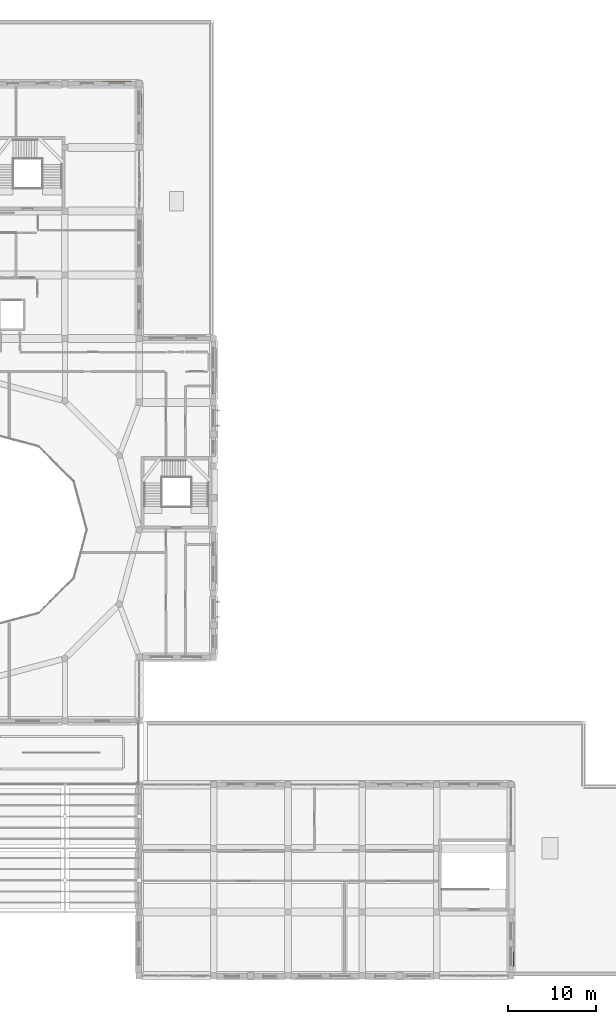
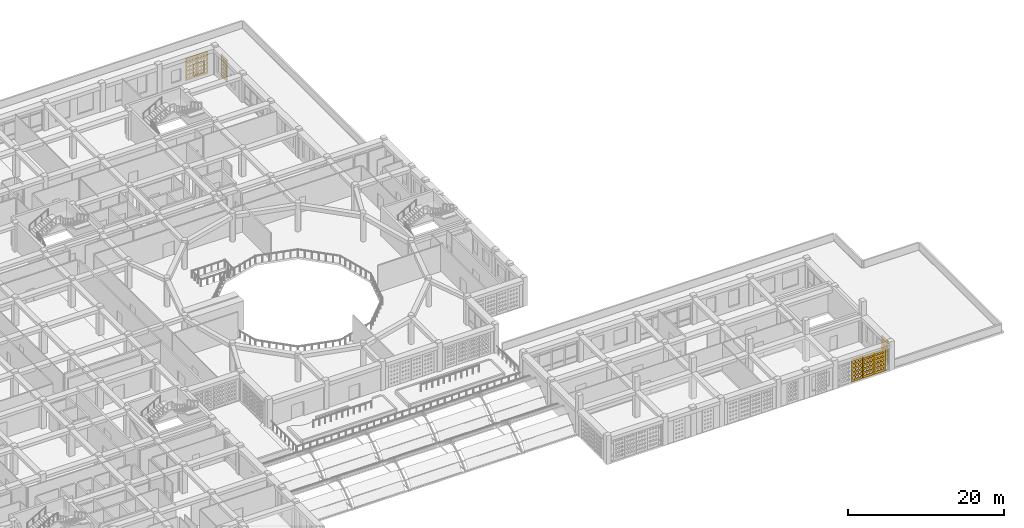
# One storey, part 97 of 100: 7 coverings.
"""IFC4 building model written with IfcOpenShell, lengths in metres."""

from ifc_helpers import new_model, si_unit, derived_unit, direction, frame, origin, place, context, subcontext, project, spatial, polyline, outline, extrude, material, layer, layer_set, type_object, element, save


model = new_model("IFC4")

# Units and contexts
model_context = context("Model", 3, precision=1e-05, world=origin(), true_north=direction((0.0, 1.0)))
body_context = subcontext(model_context, "Body", "Model", "MODEL_VIEW")
ifc_project = project(units=[si_unit("LENGTHUNIT", "METRE"), si_unit("AREAUNIT", "SQUARE_METRE"), si_unit("VOLUMEUNIT", "CUBIC_METRE"), si_unit("PLANEANGLEUNIT", "RADIAN"), si_unit("MASSUNIT", "GRAM", prefix="KILO"), derived_unit("THERMALTRANSMITTANCEUNIT", [(si_unit("POWERUNIT", "WATT"), 1), (si_unit("LENGTHUNIT", "METRE"), -2), (si_unit("THERMODYNAMICTEMPERATUREUNIT", "KELVIN"), -1)])], contexts=[model_context])

# Site, building, storey
site_placement = place(None, origin())
site = spatial("IfcSite", under=ifc_project, at=site_placement, CompositionType="ELEMENT")
building_placement = place(site_placement, origin())
building = spatial("IfcBuilding", under=site, at=building_placement, Name="Veybourne Emporium", CompositionType="ELEMENT")
storey_placement = place(building_placement, frame((0.0, 0.0, 14.39990234375)))
storey = spatial("IfcBuildingStorey", under=building, at=storey_placement, Name="L03", CompositionType="ELEMENT", Elevation=14.39990234375)

# Coverings
ifc_material = material(Name="Warm-White Perforated Aluminium Screen Alloy", Category="aluminium")
ifc_layer_1 = layer(ifc_material, 0.06005859375)
ifc_layer_set_1 = layer_set([ifc_layer_1], Name="Warm-White Perforated Aluminium Screen Alloy")
covering_type_1 = type_object("IfcCoveringType", Name="WaveScreen_SCR-01", PredefinedType="CLADDING", material=ifc_layer_set_1)
covering_1_placement = place(storey_placement, frame((129.360107421875, -0.095458984375, 1.815185546875), z_axis=(0.0, 1.0, 0.0), x_axis=(-1.0, 0.0, 0.0)))
element("IfcCovering", 1, at=covering_1_placement, inside=storey, type_object=covering_type_1, Name="L03 wave-perforated aluminium screen SCR-01 (66C.3)", PredefinedType="CLADDING", context=body_context, shape_type="SweptSolid", body=[
    extrude(outline(polyline([(-0.81982421875, -1.7548828125), (0.81982421875, -1.7548828125), (0.81982421875, 1.7548828125), (-0.81982421875, 1.7548828125), (-0.81982421875, -1.7548828125)]), holes=[polyline([(-0.433349609375, -0.980712890625), (-0.2470703125, -1.138916015625), (-0.2470703125, -1.31689453125), (-0.433349609375, -1.475341796875), (-0.61962890625, -1.31689453125), (-0.61962890625, -1.138916015625), (-0.433349609375, -0.980712890625)]), polyline([(-0.433349609375, -0.3779296875), (-0.2470703125, -0.529052734375), (-0.2470703125, -0.698974609375), (-0.433349609375, -0.85009765625), (-0.61962890625, -0.698974609375), (-0.61962890625, -0.529052734375), (-0.433349609375, -0.3779296875)]), polyline([(-0.433349609375, 0.223388671875), (-0.2470703125, 0.080322265625), (-0.2470703125, -0.080322265625), (-0.433349609375, -0.223388671875), (-0.61962890625, -0.080322265625), (-0.61962890625, 0.080322265625), (-0.433349609375, 0.223388671875)]), polyline([(-0.433349609375, 0.82373046875), (-0.251708984375, 0.689453125), (-0.251708984375, 0.53857421875), (-0.433349609375, 0.404296875), (-0.614990234375, 0.53857421875), (-0.614990234375, 0.689453125), (-0.433349609375, 0.82373046875)]), polyline([(-0.433349609375, 1.423583984375), (-0.26318359375, 1.298583984375), (-0.26318359375, 1.157470703125), (-0.433349609375, 1.0322265625), (-0.603515625, 1.157470703125), (-0.603515625, 1.298583984375), (-0.433349609375, 1.423583984375)]), polyline([(0.0, -0.97607421875), (0.186279296875, -1.13720703125), (0.186279296875, -1.318603515625), (0.0, -1.47998046875), (-0.186279296875, -1.318603515625), (-0.186279296875, -1.13720703125), (0.0, -0.97607421875)]), polyline([(0.0, -0.372802734375), (0.186279296875, -0.527099609375), (0.186279296875, -0.700927734375), (0.0, -0.855224609375), (-0.186279296875, -0.700927734375), (-0.186279296875, -0.527099609375), (0.0, -0.372802734375)]), polyline([(0.0, 0.229248046875), (0.186279296875, 0.08251953125), (0.186279296875, -0.08251953125), (0.0, -0.229248046875), (-0.186279296875, -0.08251953125), (-0.186279296875, 0.08251953125), (0.0, 0.229248046875)]), polyline([(0.0, 0.830078125), (0.186279296875, 0.69189453125), (0.186279296875, 0.5361328125), (0.0, 0.39794921875), (-0.186279296875, 0.5361328125), (-0.186279296875, 0.69189453125), (0.0, 0.830078125)]), polyline([(0.0, 1.43017578125), (0.17529296875, 1.30078125), (0.17529296875, 1.1552734375), (0.0, 1.02587890625), (-0.17529296875, 1.1552734375), (-0.17529296875, 1.30078125), (0.0, 1.43017578125)]), polyline([(0.433349609375, -0.9716796875), (0.61962890625, -1.1357421875), (0.61962890625, -1.3203125), (0.433349609375, -1.484130859375), (0.2470703125, -1.3203125), (0.2470703125, -1.1357421875), (0.433349609375, -0.9716796875)]), polyline([(0.433349609375, -0.36767578125), (0.61962890625, -0.525390625), (0.61962890625, -0.70263671875), (0.433349609375, -0.8603515625), (0.2470703125, -0.70263671875), (0.2470703125, -0.525390625), (0.433349609375, -0.36767578125)]), polyline([(0.433349609375, 0.23486328125), (0.61962890625, 0.08447265625), (0.61962890625, -0.08447265625), (0.433349609375, -0.23486328125), (0.2470703125, -0.08447265625), (0.2470703125, 0.08447265625), (0.433349609375, 0.23486328125)]), polyline([(0.433349609375, 0.836181640625), (0.61962890625, 0.694091796875), (0.61962890625, 0.533935546875), (0.433349609375, 0.391845703125), (0.2470703125, 0.533935546875), (0.2470703125, 0.694091796875), (0.433349609375, 0.836181640625)]), polyline([(0.433349609375, 1.4365234375), (0.614013671875, 1.302978515625), (0.614013671875, 1.15283203125), (0.433349609375, 1.01953125), (0.252685546875, 1.15283203125), (0.252685546875, 1.302978515625), (0.433349609375, 1.4365234375)])]), origin(), (0.0, 0.0, 1.0), 0.06005859375),
])
ifc_layer_2 = layer(ifc_material, 0.06005859375)
ifc_layer_set_2 = layer_set([ifc_layer_2], Name="Warm-White Perforated Aluminium Screen Alloy")
covering_type_2 = type_object("IfcCoveringType", Name="WaveScreen_SCR-02", PredefinedType="CLADDING", material=ifc_layer_set_2)
covering_2_placement = place(storey_placement, frame((89.0400390625, 101.09814453125, 1.815185546875), z_axis=(0.0, -1.0, 0.0), x_axis=(1.0, 0.0, 0.0)))
element("IfcCovering", 2, at=covering_2_placement, inside=storey, type_object=covering_type_2, Name="L03 wave-perforated aluminium screen SCR-02 (47.3)", PredefinedType="CLADDING", context=body_context, shape_type="SweptSolid", body=[
    extrude(outline(polyline([(-0.81982421875, -1.7548828125), (0.81982421875, -1.7548828125), (0.81982421875, 1.7548828125), (-0.81982421875, 1.7548828125), (-0.81982421875, -1.7548828125)]), holes=[polyline([(-0.433349609375, -0.986328125), (-0.2470703125, -1.14111328125), (-0.2470703125, -1.31494140625), (-0.433349609375, -1.4697265625), (-0.61962890625, -1.31494140625), (-0.61962890625, -1.14111328125), (-0.433349609375, -0.986328125)]), polyline([(-0.433349609375, -0.36181640625), (-0.2470703125, -0.523193359375), (-0.2470703125, -0.704833984375), (-0.433349609375, -0.8662109375), (-0.61962890625, -0.704833984375), (-0.61962890625, -0.523193359375), (-0.433349609375, -0.36181640625)]), polyline([(-0.433349609375, 0.260986328125), (-0.2470703125, 0.093994140625), (-0.2470703125, -0.093994140625), (-0.433349609375, -0.260986328125), (-0.61962890625, -0.093994140625), (-0.61962890625, 0.093994140625), (-0.433349609375, 0.260986328125)]), polyline([(-0.433349609375, 0.8779296875), (-0.2470703125, 0.708984375), (-0.2470703125, 0.51904296875), (-0.433349609375, 0.35009765625), (-0.61962890625, 0.51904296875), (-0.61962890625, 0.708984375), (-0.433349609375, 0.8779296875)]), polyline([(-0.433349609375, 1.491943359375), (-0.2470703125, 1.322998046875), (-0.2470703125, 1.133056640625), (-0.433349609375, 0.964111328125), (-0.61962890625, 1.133056640625), (-0.61962890625, 1.322998046875), (-0.433349609375, 1.491943359375)]), polyline([(0.0, -0.981201171875), (0.186279296875, -1.13916015625), (0.186279296875, -1.31689453125), (0.0, -1.474609375), (-0.186279296875, -1.31689453125), (-0.186279296875, -1.13916015625), (0.0, -0.981201171875)]), polyline([(0.0, -0.357421875), (0.186279296875, -0.521484375), (0.186279296875, -0.706298828125), (0.0, -0.87060546875), (-0.186279296875, -0.706298828125), (-0.186279296875, -0.521484375), (0.0, -0.357421875)]), polyline([(0.0, 0.263916015625), (0.186279296875, 0.094970703125), (0.186279296875, -0.094970703125), (0.0, -0.263916015625), (-0.186279296875, -0.094970703125), (-0.186279296875, 0.094970703125), (0.0, 0.263916015625)]), polyline([(0.0, 0.8779296875), (0.186279296875, 0.708984375), (0.186279296875, 0.51904296875), (0.0, 0.35009765625), (-0.186279296875, 0.51904296875), (-0.186279296875, 0.708984375), (0.0, 0.8779296875)]), polyline([(0.0, 1.491943359375), (0.186279296875, 1.322998046875), (0.186279296875, 1.133056640625), (0.0, 0.964111328125), (-0.186279296875, 1.133056640625), (-0.186279296875, 1.322998046875), (0.0, 1.491943359375)]), polyline([(0.433349609375, -0.9765625), (0.61962890625, -1.137451171875), (0.61962890625, -1.318603515625), (0.433349609375, -1.4794921875), (0.2470703125, -1.318603515625), (0.2470703125, -1.137451171875), (0.433349609375, -0.9765625)]), polyline([(0.433349609375, -0.353515625), (0.61962890625, -0.520263671875), (0.61962890625, -0.707763671875), (0.433349609375, -0.87451171875), (0.2470703125, -0.707763671875), (0.2470703125, -0.520263671875), (0.433349609375, -0.353515625)]), polyline([(0.433349609375, 0.263916015625), (0.61962890625, 0.094970703125), (0.61962890625, -0.094970703125), (0.433349609375, -0.263916015625), (0.2470703125, -0.094970703125), (0.2470703125, 0.094970703125), (0.433349609375, 0.263916015625)]), polyline([(0.433349609375, 0.8779296875), (0.61962890625, 0.708984375), (0.61962890625, 0.51904296875), (0.433349609375, 0.35009765625), (0.2470703125, 0.51904296875), (0.2470703125, 0.708984375), (0.433349609375, 0.8779296875)]), polyline([(0.433349609375, 1.491943359375), (0.61962890625, 1.322998046875), (0.61962890625, 1.133056640625), (0.433349609375, 0.964111328125), (0.2470703125, 1.133056640625), (0.2470703125, 1.322998046875), (0.433349609375, 1.491943359375)])]), origin(), (0.0, 0.0, 1.0), 0.06005859375),
])
covering_3_placement = place(storey_placement, frame((134.697998046875, 1.919921875, 1.815185546875), z_axis=(-1.0, 0.0, 0.0), x_axis=(0.0, -1.0, 0.0)))
element("IfcCovering", 3, at=covering_3_placement, inside=storey, type_object=covering_type_2, Name="L03 wave-perforated aluminium screen SCR-02 (67.3)", PredefinedType="CLADDING", context=body_context, shape_type="SweptSolid", body=[
    extrude(outline(polyline([(-0.81982421875, -1.7548828125), (0.81982421875, -1.7548828125), (0.81982421875, 1.7548828125), (-0.81982421875, 1.7548828125), (-0.81982421875, -1.7548828125)]), holes=[polyline([(-0.433349609375, -1.0810546875), (-0.30322265625, -1.175048828125), (-0.30322265625, -1.281005859375), (-0.433349609375, -1.375), (-0.5634765625, -1.281005859375), (-0.5634765625, -1.175048828125), (-0.433349609375, -1.0810546875)]), polyline([(-0.433349609375, -0.478271484375), (-0.312255859375, -0.565185546875), (-0.312255859375, -0.662841796875), (-0.433349609375, -0.749755859375), (-0.554443359375, -0.662841796875), (-0.554443359375, -0.565185546875), (-0.433349609375, -0.478271484375)]), polyline([(-0.433349609375, 0.12646484375), (-0.31982421875, 0.04541015625), (-0.31982421875, -0.04541015625), (-0.433349609375, -0.12646484375), (-0.546630859375, -0.04541015625), (-0.546630859375, 0.04541015625), (-0.433349609375, 0.12646484375)]), polyline([(-0.433349609375, 0.73291015625), (-0.325927734375, 0.65673828125), (-0.325927734375, 0.5712890625), (-0.433349609375, 0.4951171875), (-0.54052734375, 0.5712890625), (-0.54052734375, 0.65673828125), (-0.433349609375, 0.73291015625)]), polyline([(-0.433349609375, 1.341552734375), (-0.330322265625, 1.268798828125), (-0.330322265625, 1.18701171875), (-0.433349609375, 1.114501953125), (-0.536376953125, 1.18701171875), (-0.536376953125, 1.268798828125), (-0.433349609375, 1.341552734375)]), polyline([(0.0, -1.07568359375), (0.134765625, -1.173095703125), (0.134765625, -1.282958984375), (0.0, -1.38037109375), (-0.134765625, -1.282958984375), (-0.134765625, -1.173095703125), (0.0, -1.07568359375)]), polyline([(0.0, -0.473388671875), (0.125, -0.5634765625), (0.125, -0.66455078125), (0.0, -0.754638671875), (-0.125, -0.66455078125), (-0.125, -0.5634765625), (0.0, -0.473388671875)]), polyline([(0.0, 0.13037109375), (0.11669921875, 0.047119140625), (0.11669921875, -0.047119140625), (0.0, -0.13037109375), (-0.11669921875, -0.047119140625), (-0.11669921875, 0.047119140625), (0.0, 0.13037109375)]), polyline([(0.0, 0.736083984375), (0.10986328125, 0.657958984375), (0.10986328125, 0.570068359375), (0.0, 0.491943359375), (-0.10986328125, 0.570068359375), (-0.10986328125, 0.657958984375), (0.0, 0.736083984375)]), polyline([(0.0, 1.34375), (0.104736328125, 1.269775390625), (0.104736328125, 1.186279296875), (0.0, 1.1123046875), (-0.104736328125, 1.186279296875), (-0.104736328125, 1.269775390625), (0.0, 1.34375)]), polyline([(0.433349609375, -1.06982421875), (0.57275390625, -1.171142578125), (0.57275390625, -1.284912109375), (0.433349609375, -1.385986328125), (0.2939453125, -1.284912109375), (0.2939453125, -1.171142578125), (0.433349609375, -1.06982421875)]), polyline([(0.433349609375, -0.46826171875), (0.5625, -0.5615234375), (0.5625, -0.66650390625), (0.433349609375, -0.759765625), (0.303955078125, -0.66650390625), (0.303955078125, -0.5615234375), (0.433349609375, -0.46826171875)]), polyline([(0.433349609375, 0.134765625), (0.5537109375, 0.048583984375), (0.5537109375, -0.048583984375), (0.433349609375, -0.134765625), (0.31298828125, -0.048583984375), (0.31298828125, 0.048583984375), (0.433349609375, 0.134765625)]), polyline([(0.433349609375, 0.739501953125), (0.546142578125, 0.6591796875), (0.546142578125, 0.56884765625), (0.433349609375, 0.48828125), (0.320556640625, 0.56884765625), (0.320556640625, 0.6591796875), (0.433349609375, 0.739501953125)]), polyline([(0.433349609375, 1.34619140625), (0.5400390625, 1.2705078125), (0.5400390625, 1.185302734375), (0.433349609375, 1.109619140625), (0.326416015625, 1.185302734375), (0.326416015625, 1.2705078125), (0.433349609375, 1.34619140625)])]), origin(), (0.0, 0.0, 1.0), 0.06005859375),
])
ifc_layer_3 = layer(ifc_material, 0.06005859375)
ifc_layer_set_3 = layer_set([ifc_layer_3], Name="Warm-White Perforated Aluminium Screen Alloy")
covering_type_3 = type_object("IfcCoveringType", Name="WaveScreen_SCR-03", PredefinedType="CLADDING", material=ifc_layer_set_3)
covering_4_placement = place(storey_placement, frame((92.697998046875, 98.8798828125, 1.815185546875), z_axis=(-1.0, 0.0, 0.0), x_axis=(0.0, -1.0, 0.0)))
element("IfcCovering", 4, at=covering_4_placement, inside=storey, type_object=covering_type_3, Name="L03 wave-perforated aluminium screen SCR-03 (46.1)", PredefinedType="CLADDING", context=body_context, shape_type="SweptSolid", body=[
    extrude(outline(polyline([(-0.81982421875, -1.7548828125), (0.81982421875, -1.7548828125), (0.81982421875, 1.7548828125), (-0.81982421875, 1.7548828125), (-0.81982421875, -1.7548828125)]), holes=[polyline([(-0.433349609375, -0.964111328125), (-0.2470703125, -1.133056640625), (-0.2470703125, -1.322998046875), (-0.433349609375, -1.491943359375), (-0.61962890625, -1.322998046875), (-0.61962890625, -1.133056640625), (-0.433349609375, -0.964111328125)]), polyline([(-0.433349609375, -0.35009765625), (-0.2470703125, -0.51904296875), (-0.2470703125, -0.708984375), (-0.433349609375, -0.8779296875), (-0.61962890625, -0.708984375), (-0.61962890625, -0.51904296875), (-0.433349609375, -0.35009765625)]), polyline([(-0.433349609375, 0.263916015625), (-0.2470703125, 0.094970703125), (-0.2470703125, -0.094970703125), (-0.433349609375, -0.263916015625), (-0.61962890625, -0.094970703125), (-0.61962890625, 0.094970703125), (-0.433349609375, 0.263916015625)]), polyline([(-0.433349609375, 0.8779296875), (-0.2470703125, 0.708984375), (-0.2470703125, 0.51904296875), (-0.433349609375, 0.35009765625), (-0.61962890625, 0.51904296875), (-0.61962890625, 0.708984375), (-0.433349609375, 0.8779296875)]), polyline([(-0.433349609375, 1.491943359375), (-0.2470703125, 1.322998046875), (-0.2470703125, 1.133056640625), (-0.433349609375, 0.964111328125), (-0.61962890625, 1.133056640625), (-0.61962890625, 1.322998046875), (-0.433349609375, 1.491943359375)]), polyline([(0.0, -0.96728515625), (0.186279296875, -1.134033203125), (0.186279296875, -1.322021484375), (0.0, -1.48876953125), (-0.186279296875, -1.322021484375), (-0.186279296875, -1.134033203125), (0.0, -0.96728515625)]), polyline([(0.0, -0.35009765625), (0.186279296875, -0.51904296875), (0.186279296875, -0.708984375), (0.0, -0.8779296875), (-0.186279296875, -0.708984375), (-0.186279296875, -0.51904296875), (0.0, -0.35009765625)]), polyline([(0.0, 0.263916015625), (0.186279296875, 0.094970703125), (0.186279296875, -0.094970703125), (0.0, -0.263916015625), (-0.186279296875, -0.094970703125), (-0.186279296875, 0.094970703125), (0.0, 0.263916015625)]), polyline([(0.0, 0.8779296875), (0.186279296875, 0.708984375), (0.186279296875, 0.51904296875), (0.0, 0.35009765625), (-0.186279296875, 0.51904296875), (-0.186279296875, 0.708984375), (0.0, 0.8779296875)]), polyline([(0.0, 1.491943359375), (0.186279296875, 1.322998046875), (0.186279296875, 1.133056640625), (0.0, 0.964111328125), (-0.186279296875, 1.133056640625), (-0.186279296875, 1.322998046875), (0.0, 1.491943359375)]), polyline([(0.433349609375, -0.970947265625), (0.61962890625, -1.135498046875), (0.61962890625, -1.320556640625), (0.433349609375, -1.485107421875), (0.2470703125, -1.320556640625), (0.2470703125, -1.135498046875), (0.433349609375, -0.970947265625)]), polyline([(0.433349609375, -0.35009765625), (0.61962890625, -0.51904296875), (0.61962890625, -0.708984375), (0.433349609375, -0.8779296875), (0.2470703125, -0.708984375), (0.2470703125, -0.51904296875), (0.433349609375, -0.35009765625)]), polyline([(0.433349609375, 0.263916015625), (0.61962890625, 0.094970703125), (0.61962890625, -0.094970703125), (0.433349609375, -0.263916015625), (0.2470703125, -0.094970703125), (0.2470703125, 0.094970703125), (0.433349609375, 0.263916015625)]), polyline([(0.433349609375, 0.8779296875), (0.61962890625, 0.708984375), (0.61962890625, 0.51904296875), (0.433349609375, 0.35009765625), (0.2470703125, 0.51904296875), (0.2470703125, 0.708984375), (0.433349609375, 0.8779296875)]), polyline([(0.433349609375, 1.491943359375), (0.61962890625, 1.322998046875), (0.61962890625, 1.133056640625), (0.433349609375, 0.964111328125), (0.2470703125, 1.133056640625), (0.2470703125, 1.322998046875), (0.433349609375, 1.491943359375)])]), origin(), (0.0, 0.0, 1.0), 0.06005859375),
])
covering_5_placement = place(storey_placement, frame((90.719970703125, 101.09814453125, 1.815185546875), z_axis=(0.0, -1.0, 0.0), x_axis=(1.0, 0.0, 0.0)))
element("IfcCovering", 5, at=covering_5_placement, inside=storey, type_object=covering_type_3, Name="L03 wave-perforated aluminium screen SCR-03 (47.4)", PredefinedType="CLADDING", context=body_context, shape_type="SweptSolid", body=[
    extrude(outline(polyline([(-0.81982421875, -1.7548828125), (0.81982421875, -1.7548828125), (0.81982421875, 1.7548828125), (-0.81982421875, 1.7548828125), (-0.81982421875, -1.7548828125)]), holes=[polyline([(-0.433349609375, -0.96875), (-0.2470703125, -1.134765625), (-0.2470703125, -1.3212890625), (-0.433349609375, -1.4873046875), (-0.61962890625, -1.3212890625), (-0.61962890625, -1.134765625), (-0.433349609375, -0.96875)]), polyline([(-0.433349609375, -0.35009765625), (-0.2470703125, -0.51904296875), (-0.2470703125, -0.708984375), (-0.433349609375, -0.8779296875), (-0.61962890625, -0.708984375), (-0.61962890625, -0.51904296875), (-0.433349609375, -0.35009765625)]), polyline([(-0.433349609375, 0.263916015625), (-0.2470703125, 0.094970703125), (-0.2470703125, -0.094970703125), (-0.433349609375, -0.263916015625), (-0.61962890625, -0.094970703125), (-0.61962890625, 0.094970703125), (-0.433349609375, 0.263916015625)]), polyline([(-0.433349609375, 0.8779296875), (-0.2470703125, 0.708984375), (-0.2470703125, 0.51904296875), (-0.433349609375, 0.35009765625), (-0.61962890625, 0.51904296875), (-0.61962890625, 0.708984375), (-0.433349609375, 0.8779296875)]), polyline([(-0.433349609375, 1.491943359375), (-0.2470703125, 1.322998046875), (-0.2470703125, 1.133056640625), (-0.433349609375, 0.964111328125), (-0.61962890625, 1.133056640625), (-0.61962890625, 1.322998046875), (-0.433349609375, 1.491943359375)]), polyline([(0.0, -0.965087890625), (0.186279296875, -1.13330078125), (0.186279296875, -1.322509765625), (0.0, -1.49072265625), (-0.186279296875, -1.322509765625), (-0.186279296875, -1.13330078125), (0.0, -0.965087890625)]), polyline([(0.0, -0.35009765625), (0.186279296875, -0.51904296875), (0.186279296875, -0.708984375), (0.0, -0.8779296875), (-0.186279296875, -0.708984375), (-0.186279296875, -0.51904296875), (0.0, -0.35009765625)]), polyline([(0.0, 0.263916015625), (0.186279296875, 0.094970703125), (0.186279296875, -0.094970703125), (0.0, -0.263916015625), (-0.186279296875, -0.094970703125), (-0.186279296875, 0.094970703125), (0.0, 0.263916015625)]), polyline([(0.0, 0.8779296875), (0.186279296875, 0.708984375), (0.186279296875, 0.51904296875), (0.0, 0.35009765625), (-0.186279296875, 0.51904296875), (-0.186279296875, 0.708984375), (0.0, 0.8779296875)]), polyline([(0.0, 1.491943359375), (0.186279296875, 1.322998046875), (0.186279296875, 1.133056640625), (0.0, 0.964111328125), (-0.186279296875, 1.133056640625), (-0.186279296875, 1.322998046875), (0.0, 1.491943359375)]), polyline([(0.433349609375, -0.964111328125), (0.61962890625, -1.133056640625), (0.61962890625, -1.322998046875), (0.433349609375, -1.491943359375), (0.2470703125, -1.322998046875), (0.2470703125, -1.133056640625), (0.433349609375, -0.964111328125)]), polyline([(0.433349609375, -0.35009765625), (0.61962890625, -0.51904296875), (0.61962890625, -0.708984375), (0.433349609375, -0.8779296875), (0.2470703125, -0.708984375), (0.2470703125, -0.51904296875), (0.433349609375, -0.35009765625)]), polyline([(0.433349609375, 0.263916015625), (0.61962890625, 0.094970703125), (0.61962890625, -0.094970703125), (0.433349609375, -0.263916015625), (0.2470703125, -0.094970703125), (0.2470703125, 0.094970703125), (0.433349609375, 0.263916015625)]), polyline([(0.433349609375, 0.8779296875), (0.61962890625, 0.708984375), (0.61962890625, 0.51904296875), (0.433349609375, 0.35009765625), (0.2470703125, 0.51904296875), (0.2470703125, 0.708984375), (0.433349609375, 0.8779296875)]), polyline([(0.433349609375, 1.491943359375), (0.61962890625, 1.322998046875), (0.61962890625, 1.133056640625), (0.433349609375, 0.964111328125), (0.2470703125, 1.133056640625), (0.2470703125, 1.322998046875), (0.433349609375, 1.491943359375)])]), origin(), (0.0, 0.0, 1.0), 0.06005859375),
])
covering_6_placement = place(storey_placement, frame((132.719970703125, -0.095458984375, 1.815185546875), z_axis=(0.0, 1.0, 0.0), x_axis=(-1.0, 0.0, 0.0)))
element("IfcCovering", 6, at=covering_6_placement, inside=storey, type_object=covering_type_3, Name="L03 wave-perforated aluminium screen SCR-03 (66C.1)", PredefinedType="CLADDING", context=body_context, shape_type="SweptSolid", body=[
    extrude(outline(polyline([(-0.81982421875, -1.7548828125), (0.81982421875, -1.7548828125), (0.81982421875, 1.7548828125), (-0.81982421875, 1.7548828125), (-0.81982421875, -1.7548828125)]), holes=[polyline([(-0.433349609375, -1.025390625), (-0.257568359375, -1.155029296875), (-0.257568359375, -1.30078125), (-0.433349609375, -1.4306640625), (-0.609130859375, -1.30078125), (-0.609130859375, -1.155029296875), (-0.433349609375, -1.025390625)]), polyline([(-0.433349609375, -0.425537109375), (-0.269287109375, -0.546142578125), (-0.269287109375, -0.681884765625), (-0.433349609375, -0.802490234375), (-0.597412109375, -0.681884765625), (-0.597412109375, -0.546142578125), (-0.433349609375, -0.425537109375)]), polyline([(-0.433349609375, 0.17431640625), (-0.28076171875, 0.062744140625), (-0.28076171875, -0.062744140625), (-0.433349609375, -0.17431640625), (-0.5859375, -0.062744140625), (-0.5859375, 0.062744140625), (-0.433349609375, 0.17431640625)]), polyline([(-0.433349609375, 0.77490234375), (-0.291748046875, 0.671875), (-0.291748046875, 0.55615234375), (-0.433349609375, 0.453125), (-0.574951171875, 0.55615234375), (-0.574951171875, 0.671875), (-0.433349609375, 0.77490234375)]), polyline([(-0.433349609375, 1.376220703125), (-0.302001953125, 1.281494140625), (-0.302001953125, 1.174560546875), (-0.433349609375, 1.07958984375), (-0.564697265625, 1.174560546875), (-0.564697265625, 1.281494140625), (-0.433349609375, 1.376220703125)]), polyline([(0.0, -1.01904296875), (0.180908203125, -1.15283203125), (0.180908203125, -1.30322265625), (0.0, -1.43701171875), (-0.180908203125, -1.30322265625), (-0.180908203125, -1.15283203125), (0.0, -1.01904296875)]), polyline([(0.0, -0.419189453125), (0.16943359375, -0.5439453125), (0.16943359375, -0.68408203125), (0.0, -0.808837890625), (-0.16943359375, -0.68408203125), (-0.16943359375, -0.5439453125), (0.0, -0.419189453125)]), polyline([(0.0, 0.1806640625), (0.15771484375, 0.06494140625), (0.15771484375, -0.06494140625), (0.0, -0.1806640625), (-0.15771484375, -0.06494140625), (-0.15771484375, 0.06494140625), (0.0, 0.1806640625)]), polyline([(0.0, 0.781005859375), (0.146484375, 0.674072265625), (0.146484375, 0.553955078125), (0.0, 0.447021484375), (-0.146484375, 0.553955078125), (-0.146484375, 0.674072265625), (0.0, 0.781005859375)]), polyline([(0.0, 1.3818359375), (0.135986328125, 1.283447265625), (0.135986328125, 1.172607421875), (0.0, 1.07421875), (-0.135986328125, 1.172607421875), (-0.135986328125, 1.283447265625), (0.0, 1.3818359375)]), polyline([(0.433349609375, -1.0126953125), (0.619384765625, -1.150390625), (0.619384765625, -1.305419921875), (0.433349609375, -1.443115234375), (0.247314453125, -1.305419921875), (0.247314453125, -1.150390625), (0.433349609375, -1.0126953125)]), polyline([(0.433349609375, -0.412841796875), (0.60791015625, -0.54150390625), (0.60791015625, -0.686279296875), (0.433349609375, -0.815185546875), (0.2587890625, -0.686279296875), (0.2587890625, -0.54150390625), (0.433349609375, -0.412841796875)]), polyline([(0.433349609375, 0.18701171875), (0.596435546875, 0.0673828125), (0.596435546875, -0.0673828125), (0.433349609375, -0.18701171875), (0.270263671875, -0.0673828125), (0.270263671875, 0.0673828125), (0.433349609375, 0.18701171875)]), polyline([(0.433349609375, 0.787109375), (0.5849609375, 0.67626953125), (0.5849609375, 0.5517578125), (0.433349609375, 0.44091796875), (0.28173828125, 0.5517578125), (0.28173828125, 0.67626953125), (0.433349609375, 0.787109375)]), polyline([(0.433349609375, 1.3876953125), (0.573974609375, 1.285400390625), (0.573974609375, 1.17041015625), (0.433349609375, 1.068359375), (0.292724609375, 1.17041015625), (0.292724609375, 1.285400390625), (0.433349609375, 1.3876953125)])]), origin(), (0.0, 0.0, 1.0), 0.06005859375),
])
ifc_layer_4 = layer(ifc_material, 0.06005859375)
ifc_layer_set_4 = layer_set([ifc_layer_4], Name="Warm-White Perforated Aluminium Screen Alloy")
covering_type_4 = type_object("IfcCoveringType", Name="WaveScreen_SCR-04", PredefinedType="CLADDING", material=ifc_layer_set_4)
covering_7_placement = place(storey_placement, frame((131.0400390625, -0.095458984375, 1.815185546875), z_axis=(0.0, 1.0, 0.0), x_axis=(-1.0, 0.0, 0.0)))
element("IfcCovering", 7, at=covering_7_placement, inside=storey, type_object=covering_type_4, Name="L03 wave-perforated aluminium screen SCR-04 (66C.2)", PredefinedType="CLADDING", context=body_context, shape_type="SweptSolid", body=[
    extrude(outline(polyline([(-0.81982421875, -1.7548828125), (0.81982421875, -1.7548828125), (0.81982421875, 1.7548828125), (-0.81982421875, 1.7548828125), (-0.81982421875, -1.7548828125)]), holes=[polyline([(-0.433349609375, -1.00146484375), (-0.2470703125, -1.146484375), (-0.2470703125, -1.3095703125), (-0.433349609375, -1.45458984375), (-0.61962890625, -1.3095703125), (-0.61962890625, -1.146484375), (-0.433349609375, -1.00146484375)]), polyline([(-0.433349609375, -0.40087890625), (-0.2490234375, -0.537353515625), (-0.2490234375, -0.690673828125), (-0.433349609375, -0.8271484375), (-0.61767578125, -0.690673828125), (-0.61767578125, -0.537353515625), (-0.433349609375, -0.40087890625)]), polyline([(-0.433349609375, 0.19921875), (-0.260498046875, 0.07177734375), (-0.260498046875, -0.07177734375), (-0.433349609375, -0.19921875), (-0.606201171875, -0.07177734375), (-0.606201171875, 0.07177734375), (-0.433349609375, 0.19921875)]), polyline([(-0.433349609375, 0.799072265625), (-0.27197265625, 0.6806640625), (-0.27197265625, 0.54736328125), (-0.433349609375, 0.428955078125), (-0.5947265625, 0.54736328125), (-0.5947265625, 0.6806640625), (-0.433349609375, 0.799072265625)]), polyline([(-0.433349609375, 1.39892578125), (-0.283447265625, 1.28955078125), (-0.283447265625, 1.16650390625), (-0.433349609375, 1.056884765625), (-0.583251953125, 1.16650390625), (-0.583251953125, 1.28955078125), (-0.433349609375, 1.39892578125)]), polyline([(0.0, -0.995849609375), (0.186279296875, -1.144287109375), (0.186279296875, -1.3115234375), (0.0, -1.460205078125), (-0.186279296875, -1.3115234375), (-0.186279296875, -1.144287109375), (0.0, -0.995849609375)]), polyline([(0.0, -0.394775390625), (0.186279296875, -0.53515625), (0.186279296875, -0.69287109375), (0.0, -0.833251953125), (-0.186279296875, -0.69287109375), (-0.186279296875, -0.53515625), (0.0, -0.394775390625)]), polyline([(0.0, 0.20556640625), (0.17822265625, 0.073974609375), (0.17822265625, -0.073974609375), (0.0, -0.20556640625), (-0.17822265625, -0.073974609375), (-0.17822265625, 0.073974609375), (0.0, 0.20556640625)]), polyline([(0.0, 0.805419921875), (0.16650390625, 0.682861328125), (0.16650390625, 0.545166015625), (0.0, 0.422607421875), (-0.16650390625, 0.545166015625), (-0.16650390625, 0.682861328125), (0.0, 0.805419921875)]), polyline([(0.0, 1.4052734375), (0.155029296875, 1.291748046875), (0.155029296875, 1.164306640625), (0.0, 1.05078125), (-0.155029296875, 1.164306640625), (-0.155029296875, 1.291748046875), (0.0, 1.4052734375)]), polyline([(0.433349609375, -0.990234375), (0.61962890625, -1.142333984375), (0.61962890625, -1.313720703125), (0.433349609375, -1.4658203125), (0.2470703125, -1.313720703125), (0.2470703125, -1.142333984375), (0.433349609375, -0.990234375)]), polyline([(0.433349609375, -0.388671875), (0.61962890625, -0.532958984375), (0.61962890625, -0.695068359375), (0.433349609375, -0.83935546875), (0.2470703125, -0.695068359375), (0.2470703125, -0.532958984375), (0.433349609375, -0.388671875)]), polyline([(0.433349609375, 0.2119140625), (0.61669921875, 0.076416015625), (0.61669921875, -0.076416015625), (0.433349609375, -0.2119140625), (0.25, -0.076416015625), (0.25, 0.076416015625), (0.433349609375, 0.2119140625)]), polyline([(0.433349609375, 0.811767578125), (0.605224609375, 0.685302734375), (0.605224609375, 0.542724609375), (0.433349609375, 0.416259765625), (0.261474609375, 0.542724609375), (0.261474609375, 0.685302734375), (0.433349609375, 0.811767578125)]), polyline([(0.433349609375, 1.41162109375), (0.593505859375, 1.294189453125), (0.593505859375, 1.161865234375), (0.433349609375, 1.044189453125), (0.27294921875, 1.161865234375), (0.27294921875, 1.294189453125), (0.433349609375, 1.41162109375)])]), origin(), (0.0, 0.0, 1.0), 0.06005859375),
])

save(model, "model.ifc")
